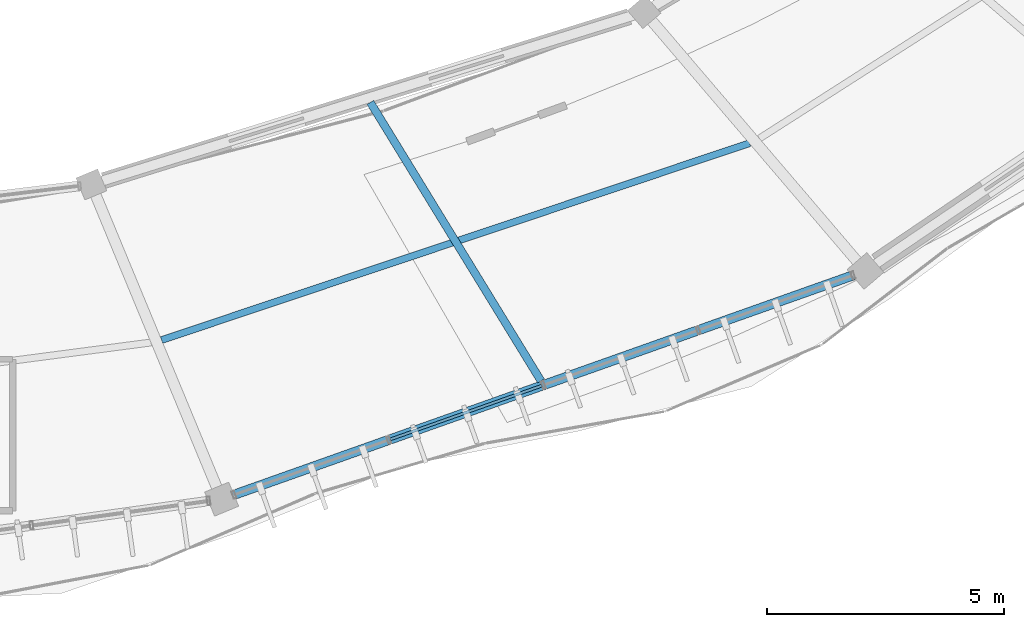
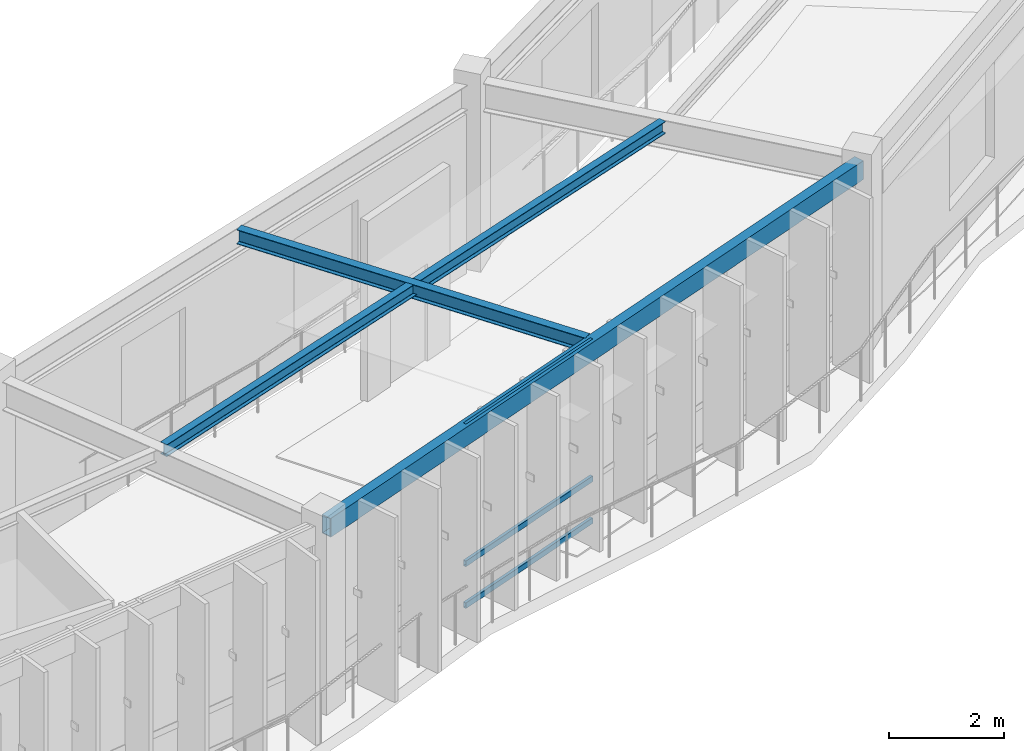
# One storey, part 42 of 79: 3 beams, 3 members, 1 element without a shape of its own.
"""IFC4 building model written with IfcOpenShell, lengths in metres."""

from ifc_helpers import new_model, si_unit, direction, frame, origin, origin_2d, place, context, subcontext, project, spatial, hollow_rectangle, i_section, extrude, material, material_profile, profile_set, type_object, element, aggregate, save


model = new_model("IFC4")

# Units and contexts
model_context = context("Model", 3, precision=1e-05, world=origin(), true_north=direction((0.0, 1.0)))
body_context = subcontext(model_context, "Body", "Model", "MODEL_VIEW")
ifc_project = project(units=[si_unit("LENGTHUNIT", "METRE"), si_unit("AREAUNIT", "SQUARE_METRE"), si_unit("VOLUMEUNIT", "CUBIC_METRE"), si_unit("PLANEANGLEUNIT", "RADIAN"), si_unit("MASSUNIT", "GRAM", prefix="KILO"), si_unit("THERMODYNAMICTEMPERATUREUNIT", "KELVIN"), si_unit("POWERUNIT", "WATT")], contexts=[model_context])

# Site, building, storey
site_placement = place(None, origin())
site = spatial("IfcSite", under=ifc_project, at=site_placement, CompositionType="ELEMENT")
building_placement = place(site_placement, origin())
building = spatial("IfcBuilding", under=site, at=building_placement, Name="Darbajah Civic Hall", CompositionType="ELEMENT")
storey_placement = place(building_placement, frame((0.0, 0.0, 22.199951171875)))
storey = spatial("IfcBuildingStorey", under=building, at=storey_placement, Name="L05", CompositionType="ELEMENT", Elevation=22.199951171875)

# Curtain wall, members
ifc_material_1 = material(Name="Anodised Bronze Aluminium and Low-E Glazing", Category="aluminium")
curtain_wall_type = type_object("IfcCurtainWallType", Name="Unitised Curtain Wall CW-85 13900x3900", PredefinedType="USERDEFINED", material=ifc_material_1)
curtain_wall_placement = place(storey_placement, origin())
curtain_wall = element("IfcCurtainWall", 1, at=curtain_wall_placement, inside=storey, type_object=curtain_wall_type, Name="L05 unitised curtain wall CW-V1O-L05-16", ObjectType="UNITISED CURTAIN WALL", PredefinedType="USERDEFINED")
ifc_material_2 = material(Name="Anodised Bronze Aluminium", Category="aluminium")
ifc_material_profile_1 = material_profile(ifc_material_2, hollow_rectangle(XDim=0.06005859375, YDim=0.1201171875, WallThickness=0.003173828125, at=origin_2d()), Name="ALU TRANSOM 60x120")
ifc_profile_set_1 = profile_set([ifc_material_profile_1], Name="Anodised Bronze Aluminium")
member_type = type_object("IfcMemberType", Name="ALU TRANSOM 60x120", PredefinedType="USERDEFINED", material=ifc_profile_set_1)
member_1_placement = place(storey_placement, frame((112.181640625, 63.80908203125, 0.06005859375), z_axis=(0.942540106259, 0.334093023114, 0.0), x_axis=(-0.334093023114, 0.942540106259, 0.0)))
member_1 = element("IfcMember", 2, at=member_1_placement, type_object=member_type, Name="CW-V1O-L05-16 transom 2.1", ObjectType="TRANSOM", PredefinedType="USERDEFINED", context=body_context, shape_type="SweptSolid", body=[
    extrude(hollow_rectangle(XDim=0.06005859375, YDim=0.1201171875, WallThickness=0.003173828125, at=origin_2d()), origin(), (0.0, 0.0, 1.0), 3.400146484375),
])
member_2_placement = place(storey_placement, frame((112.181640625, 63.80908203125, 0.949951171875), z_axis=(0.942540106259, 0.334093023114, 0.0), x_axis=(-0.334093023114, 0.942540106259, 0.0)))
member_2 = element("IfcMember", 3, at=member_2_placement, type_object=member_type, Name="CW-V1O-L05-16 transom 2.2", ObjectType="TRANSOM", PredefinedType="USERDEFINED", context=body_context, shape_type="SweptSolid", body=[
    extrude(hollow_rectangle(XDim=0.06005859375, YDim=0.1201171875, WallThickness=0.003173828125, at=origin_2d()), origin(), (0.0, 0.0, 1.0), 3.400146484375),
])
member_3_placement = place(storey_placement, frame((112.181640625, 63.80908203125, 3.860107421875), z_axis=(0.942540106259, 0.334093023114, 0.0), x_axis=(-0.334093023114, 0.942540106259, 0.0)))
member_3 = element("IfcMember", 4, at=member_3_placement, type_object=member_type, Name="CW-V1O-L05-16 transom 2.3", ObjectType="TRANSOM", PredefinedType="USERDEFINED", context=body_context, shape_type="SweptSolid", body=[
    extrude(hollow_rectangle(XDim=0.06005859375, YDim=0.1201171875, WallThickness=0.003173828125, at=origin_2d()), origin(), (0.0, 0.0, 1.0), 3.400146484375),
])
aggregate(curtain_wall, [member_1, member_2, member_3])

# Beams
ifc_material_3 = material(Name="Steel S355JR", Category="steel")
ifc_material_profile_2 = material_profile(ifc_material_3, hollow_rectangle(XDim=0.199951171875, YDim=0.39990234375, WallThickness=0.013916015625, at=origin_2d()), Name="RHS 400x200x14")
ifc_profile_set_2 = profile_set([ifc_material_profile_2], Name="Steel S355JR")
beam_type_1 = type_object("IfcBeamType", Name="RHS 400x200x14", PredefinedType="SPANDREL", material=ifc_profile_set_2)
beam_1_placement = place(storey_placement, frame((108.6923828125, 62.572265625, 3.719970703125), z_axis=(0.942537934189, 0.334099150875, 0.0), x_axis=(-0.334099150875, 0.942537934189, 0.0)))
element("IfcBeam", 5, at=beam_1_placement, inside=storey, type_object=beam_type_1, Name="L05 beam SP-RHS400", PredefinedType="SPANDREL", context=body_context, shape_type="SweptSolid", body=[
    extrude(hollow_rectangle(XDim=0.199951171875, YDim=0.39990234375, WallThickness=0.013916015625, at=origin_2d()), origin(), (0.0, 0.0, 1.0), 14.2744140625),
])
ifc_material_profile_3 = material_profile(ifc_material_3, i_section(OverallWidth=0.146484375, OverallDepth=0.256103515625, WebThickness=0.00634765625, FlangeThickness=0.010986328125, FilletRadius=0.007568359375, at=origin_2d()), Name="UB 254x146x37")
ifc_profile_set_3 = profile_set([ifc_material_profile_3], Name="Steel S355JR")
beam_type_2 = type_object("IfcBeamType", Name="UB 254x146x37", PredefinedType="JOIST", material=ifc_profile_set_3)
beam_2_placement = place(storey_placement, frame((107.34912109375, 65.908447265625, 3.7919921875), z_axis=(0.948257615403, 0.317501960357, 0.0), x_axis=(-0.317501960357, 0.948257615403, 0.0)))
element("IfcBeam", 6, at=beam_2_placement, inside=storey, type_object=beam_type_2, Name="L05 beam SJ-254", PredefinedType="JOIST", context=body_context, shape_type="SweptSolid", body=[
    extrude(i_section(OverallWidth=0.146484375, OverallDepth=0.256103515625, WebThickness=0.00634765625, FlangeThickness=0.010986328125, FilletRadius=0.007568359375, at=origin_2d()), origin(), (0.0, 0.0, 1.0), 13.102783203125),
])
ifc_material_profile_4 = material_profile(ifc_material_3, i_section(OverallWidth=0.165771484375, OverallDepth=0.306640625, WebThickness=0.006591796875, FlangeThickness=0.01171875, FilletRadius=0.0087890625, at=origin_2d()), Name="UB 305x165x46")
ifc_profile_set_4 = profile_set([ifc_material_profile_4], Name="Steel S355JR")
beam_type_3 = type_object("IfcBeamType", Name="UB 305x165x46", PredefinedType="JOIST", material=ifc_profile_set_4)
beam_3_placement = place(storey_placement, frame((111.759033203125, 70.9296875, 3.766845703125), z_axis=(0.522523909848, -0.852624632319, 0.0), x_axis=(0.852624632319, 0.522523909848, 0.0)))
element("IfcBeam", 7, at=beam_3_placement, inside=storey, type_object=beam_type_3, Name="L05 beam SJ-305", PredefinedType="JOIST", context=body_context, shape_type="SweptSolid", body=[
    extrude(i_section(OverallWidth=0.165771484375, OverallDepth=0.306640625, WebThickness=0.006591796875, FlangeThickness=0.01171875, FilletRadius=0.0087890625, at=origin_2d()), origin(), (0.0, 0.0, 1.0), 6.9033203125),
])

save(model, "model.ifc")
